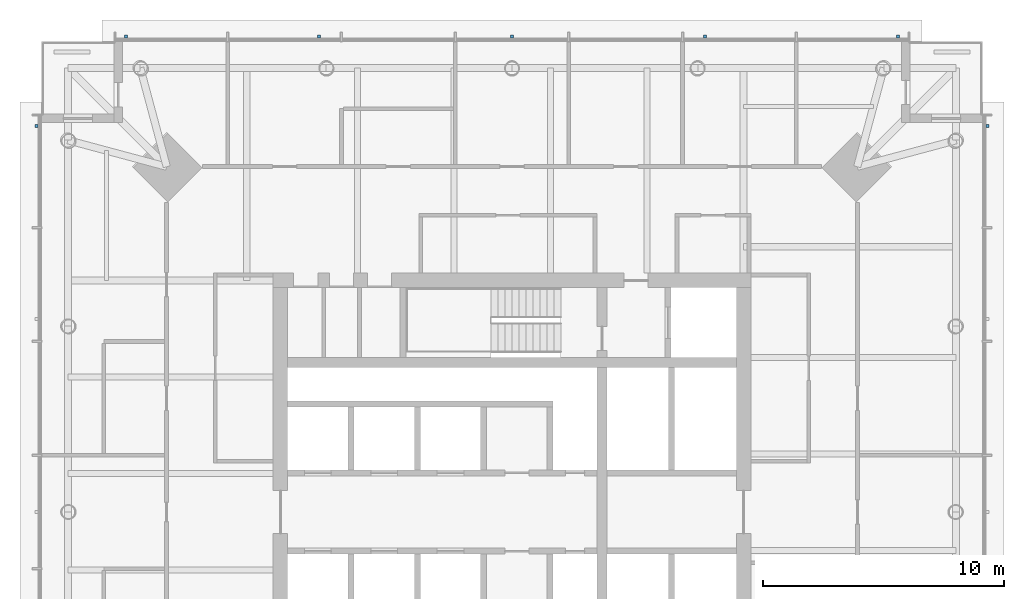
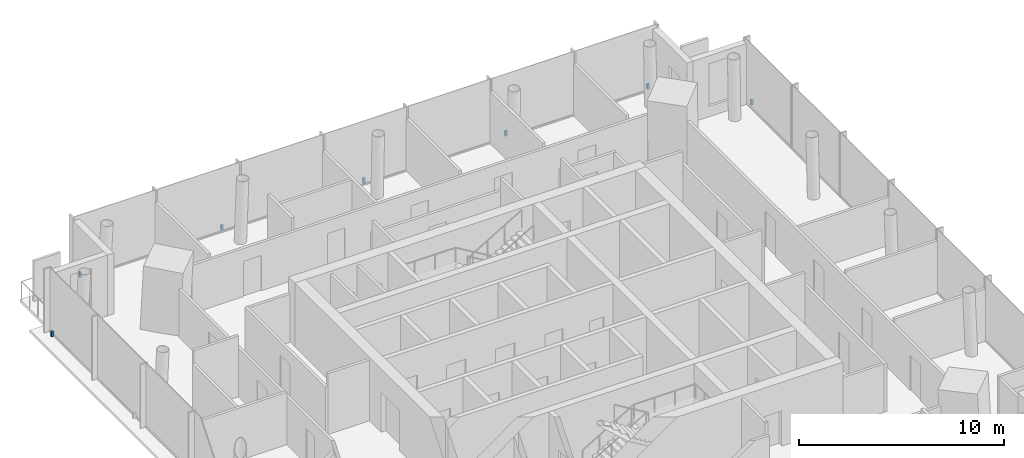
# One storey, part 10 of 11: 7 discrete accessories.
"""IFC4 building model written with IfcOpenShell, lengths in metres."""

from ifc_helpers import new_model, si_unit, direction, frame, origin, origin_2d, place, context, subcontext, project, spatial, rectangle, extrude, material, type_object, element, save


model = new_model("IFC4")

# Units and contexts
model_context = context("Model", 3, precision=1e-05, world=origin(), true_north=direction((0.0, 1.0)))
body_context = subcontext(model_context, "Body", "Model", "MODEL_VIEW")
ifc_project = project(units=[si_unit("LENGTHUNIT", "METRE"), si_unit("AREAUNIT", "SQUARE_METRE"), si_unit("VOLUMEUNIT", "CUBIC_METRE"), si_unit("PLANEANGLEUNIT", "RADIAN"), si_unit("MASSUNIT", "GRAM", prefix="KILO")], contexts=[model_context])

# Site, building, storey
site_placement = place(None, origin())
site = spatial("IfcSite", under=ifc_project, at=site_placement, CompositionType="ELEMENT")
building_placement = place(site_placement, origin())
building = spatial("IfcBuilding", under=site, at=building_placement, Name="Ostroluk Exchange", CompositionType="ELEMENT")
storey_placement = place(building_placement, frame((0.0, 0.0, 195.800048828125)))
storey = spatial("IfcBuildingStorey", under=building, at=storey_placement, Name="L50", CompositionType="ELEMENT", Elevation=195.800048828125)

# Discrete accessories
ifc_material = material(Name="Stainless steel", Category="steel")
discrete_accessory_type = type_object("IfcDiscreteAccessoryType", Name="Fall-arrest anchor PN-EN 795 type C", PredefinedType="USERDEFINED", material=ifc_material)
for number, where, z_axis, x_axis, name in (
    (1, (64.7099609375, 62.0, 0.0), (0.0, 0.0, 1.0), (1.0, 0.0, 0.0), "Fall-arrest anchor L50 east 5"),
    (2, (29.0, 65.7099609375, 0.0), (0.0, 0.0, 1.0), (1.0, 0.0, 0.0), "Fall-arrest anchor L50 north 1"),
    (3, (37.0, 65.7099609375, 0.0), (0.0, 0.0, 1.0), (1.0, 0.0, 0.0), "Fall-arrest anchor L50 north 2"),
    (4, (45.0, 65.7099609375, 0.0), (0.0, 0.0, 1.0), (1.0, 0.0, 0.0), "Fall-arrest anchor L50 north 3"),
    (5, (53.0, 65.7099609375, 0.0), (0.0, 0.0, 1.0), (1.0, 0.0, 0.0), "Fall-arrest anchor L50 north 4"),
    (6, (61.0, 65.7099609375, 0.0), (0.0, 0.0, 1.0), (1.0, 0.0, 0.0), "Fall-arrest anchor L50 north 5"),
    (7, (25.2900390625, 62.0, 0.0), (0.0, 0.0, 1.0), (1.0, 0.0, 0.0), "Fall-arrest anchor L50 west 5"),
):
    element("IfcDiscreteAccessory", number, at=place(storey_placement, frame(where, z_axis=z_axis, x_axis=x_axis)), inside=storey, type_object=discrete_accessory_type, Name=name, ObjectType="FALL ARREST ANCHOR", PredefinedType="USERDEFINED", context=body_context, shape_type="SweptSolid", body=[
        extrude(rectangle(XDim=0.1201171875, YDim=0.1201171875, at=origin_2d()), origin(), (0.0, 0.0, 1.0), 0.300048828125),
    ])

save(model, "model.ifc")
